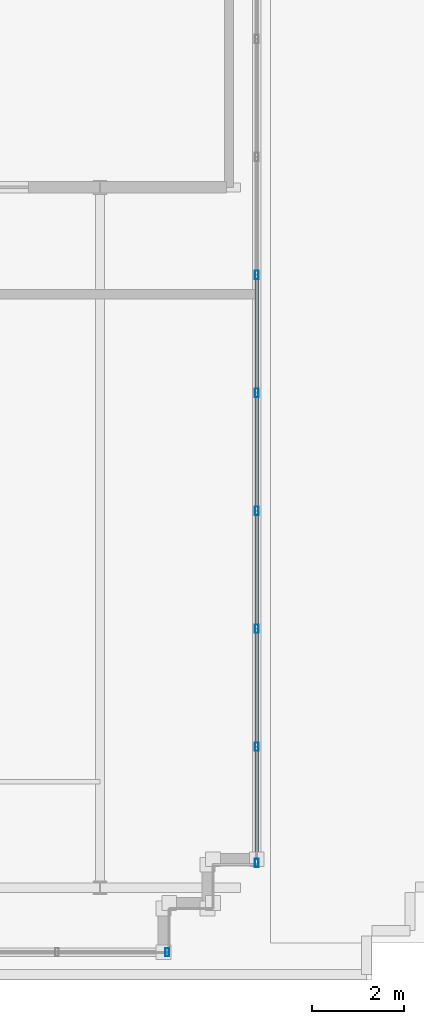
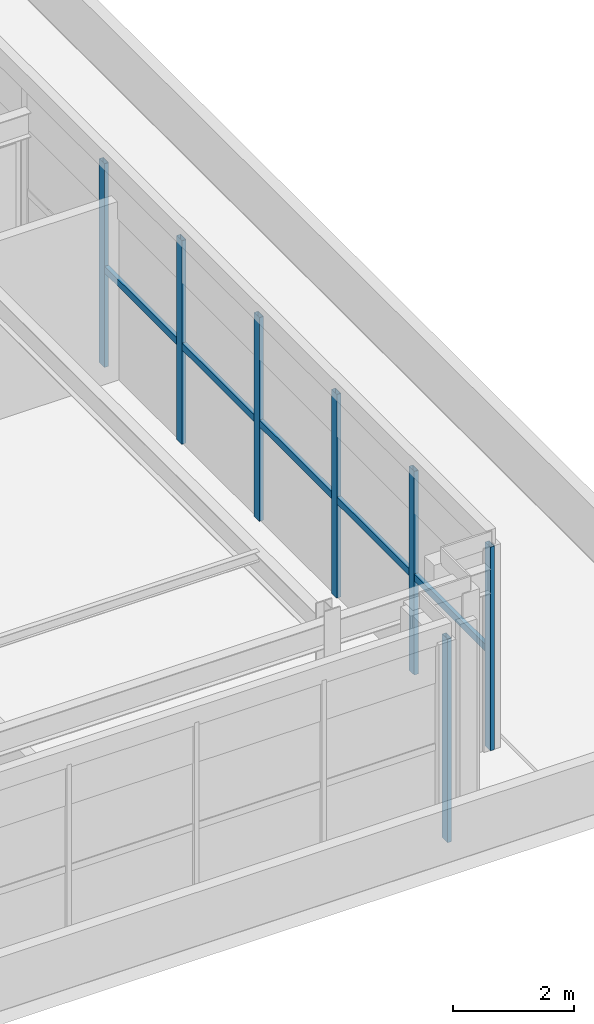
# One storey, part 7 of 28: 12 members, 2 elements without a shape of their own.
"""IFC4 building model written with IfcOpenShell, lengths in metres."""

from ifc_helpers import new_model, si_unit, direction, frame, origin, origin_2d, place, context, subcontext, project, spatial, hollow_rectangle, extrude, source, transform, mapped, material, material_profile, profile_set, type_object, element, aggregate, save


model = new_model("IFC4")

# Units and contexts
model_context = context("Model", 3, precision=1e-05, world=origin(), true_north=direction((0.0, 1.0)))
body_context = subcontext(model_context, "Body", "Model", "MODEL_VIEW")
ifc_project = project(units=[si_unit("LENGTHUNIT", "METRE"), si_unit("AREAUNIT", "SQUARE_METRE"), si_unit("VOLUMEUNIT", "CUBIC_METRE"), si_unit("PLANEANGLEUNIT", "RADIAN"), si_unit("MASSUNIT", "GRAM", prefix="KILO")], contexts=[model_context])

# Site, building, storey
site_placement = place(None, origin())
site = spatial("IfcSite", under=ifc_project, at=site_placement, CompositionType="ELEMENT")
building_placement = place(site_placement, origin())
building = spatial("IfcBuilding", under=site, at=building_placement, Name="Trelvane Seafront Commons", CompositionType="ELEMENT")
storey_placement = place(building_placement, frame((0.0, 0.0, 312.300048828125)))
storey = spatial("IfcBuildingStorey", under=building, at=storey_placement, Name="L81", CompositionType="ELEMENT", Elevation=312.300048828125)

# Curtain wall, members
ifc_material = material(Name="Anodised pale-silver aluminium", Category="aluminium")
curtain_wall_type = type_object("IfcCurtainWallType", Name="ARCH-CW6-CROWN", PredefinedType="NOTDEFINED", material=ifc_material)
curtain_wall_1_placement = place(storey_placement, origin())
curtain_wall_1 = element("IfcCurtainWall", 1, at=curtain_wall_1_placement, inside=storey, type_object=curtain_wall_type, Name="CW-L81-0146", PredefinedType="NOTDEFINED")
ifc_material_profile_1 = material_profile(ifc_material, hollow_rectangle(XDim=0.080078125, YDim=0.179931640625, WallThickness=0.00439453125, at=origin_2d()), Name="MULL-80x180x4.5")
ifc_profile_set_1 = profile_set([ifc_material_profile_1], Name="Anodised pale-silver aluminium")
member_type_1 = type_object("IfcMemberType", Name="ARCH-CW-MULL-180", PredefinedType="MULLION", material=ifc_profile_set_1)
shared_shape_1 = source(origin(), body_context, "Body", "SweptSolid", [
    extrude(hollow_rectangle(XDim=0.080078125, YDim=0.179931640625, WallThickness=0.00439453125, at=origin_2d()), origin(), (0.0, 0.0, 1.0), 4.10986328125),
])
member_1_placement = place(storey_placement, frame((26.800048828125, 31.5, 0.0), z_axis=(0.0, 0.0, 1.0), x_axis=(1.0, 0.0, 0.0)))
member_1 = element("IfcMember", 2, at=member_1_placement, type_object=member_type_1, Name="CW-L81-0146-M05", PredefinedType="MULLION", context=body_context, shape_type="MappedRepresentation", body=[
    mapped(shared_shape_1, transform((0.0, 0.0, 0.0), x_axis=(1.0, 0.0, 0.0), y_axis=(0.0, 1.0, 0.0), z_axis=(0.0, 0.0, 1.0), scale=1.0)),
])
member_2_placement = place(storey_placement, frame((26.800048828125, 28.93994140625, 0.0), z_axis=(0.0, 0.0, 1.0), x_axis=(1.0, 0.0, 0.0)))
member_2 = element("IfcMember", 3, at=member_2_placement, type_object=member_type_1, Name="CW-L81-0146-M06", PredefinedType="MULLION", context=body_context, shape_type="MappedRepresentation", body=[
    mapped(shared_shape_1, transform((0.0, 0.0, 0.0), x_axis=(1.0, 0.0, 0.0), y_axis=(0.0, 1.0, 0.0), z_axis=(0.0, 0.0, 1.0), scale=1.0)),
])
member_3_placement = place(storey_placement, frame((26.800048828125, 26.3798828125, 0.0), z_axis=(0.0, 0.0, 1.0), x_axis=(1.0, 0.0, 0.0)))
member_3 = element("IfcMember", 4, at=member_3_placement, type_object=member_type_1, Name="CW-L81-0146-M07", PredefinedType="MULLION", context=body_context, shape_type="MappedRepresentation", body=[
    mapped(shared_shape_1, transform((0.0, 0.0, 0.0), x_axis=(1.0, 0.0, 0.0), y_axis=(0.0, 1.0, 0.0), z_axis=(0.0, 0.0, 1.0), scale=1.0)),
])
member_4_placement = place(storey_placement, frame((26.800048828125, 23.820068359375, 0.0), z_axis=(0.0, 0.0, 1.0), x_axis=(1.0, 0.0, 0.0)))
member_4 = element("IfcMember", 5, at=member_4_placement, type_object=member_type_1, Name="CW-L81-0146-M08", PredefinedType="MULLION", context=body_context, shape_type="MappedRepresentation", body=[
    mapped(shared_shape_1, transform((0.0, 0.0, 0.0), x_axis=(1.0, 0.0, 0.0), y_axis=(0.0, 1.0, 0.0), z_axis=(0.0, 0.0, 1.0), scale=1.0)),
])
member_5_placement = place(storey_placement, frame((26.800048828125, 21.260009765625, 0.0), z_axis=(0.0, 0.0, 1.0), x_axis=(1.0, 0.0, 0.0)))
member_5 = element("IfcMember", 6, at=member_5_placement, type_object=member_type_1, Name="CW-L81-0146-M09", PredefinedType="MULLION", context=body_context, shape_type="MappedRepresentation", body=[
    mapped(shared_shape_1, transform((0.0, 0.0, 0.0), x_axis=(1.0, 0.0, 0.0), y_axis=(0.0, 1.0, 0.0), z_axis=(0.0, 0.0, 1.0), scale=1.0)),
])
member_6_placement = place(storey_placement, frame((26.800048828125, 18.739990234375, 0.0), z_axis=(0.0, 0.0, 1.0), x_axis=(1.0, 0.0, 0.0)))
member_6 = element("IfcMember", 7, at=member_6_placement, type_object=member_type_1, Name="CW-L81-0146-M10", PredefinedType="MULLION", context=body_context, shape_type="MappedRepresentation", body=[
    mapped(shared_shape_1, transform((0.0, 0.0, 0.0), x_axis=(1.0, 0.0, 0.0), y_axis=(0.0, 1.0, 0.0), z_axis=(0.0, 0.0, 1.0), scale=1.0)),
])

# Curtain wall, member
curtain_wall_2_placement = place(storey_placement, origin())
curtain_wall_2 = element("IfcCurtainWall", 8, at=curtain_wall_2_placement, inside=storey, type_object=curtain_wall_type, Name="CW-L81-0147", PredefinedType="NOTDEFINED")
member_7_placement = place(storey_placement, frame((24.860107421875, 16.800048828125, 0.0), z_axis=(0.0, 0.0, 1.0), x_axis=(1.0, 0.0, 0.0)))
member_7 = element("IfcMember", 9, at=member_7_placement, type_object=member_type_1, Name="CW-L81-0147-M00", PredefinedType="MULLION", context=body_context, shape_type="MappedRepresentation", body=[
    mapped(shared_shape_1, transform((0.0, 0.0, 0.0), x_axis=(1.0, 0.0, 0.0), y_axis=(0.0, 1.0, 0.0), z_axis=(0.0, 0.0, 1.0), scale=1.0)),
])
aggregate(curtain_wall_2, [member_7])

# Member
ifc_material_profile_2 = material_profile(ifc_material, hollow_rectangle(XDim=0.074951171875, YDim=0.139892578125, WallThickness=0.00390625, at=origin_2d()), Name="TRAN-75x140x4")
ifc_profile_set_2 = profile_set([ifc_material_profile_2], Name="Anodised pale-silver aluminium")
member_type_2 = type_object("IfcMemberType", Name="ARCH-CW-TRAN-140", PredefinedType="USERDEFINED", material=ifc_profile_set_2)
shared_shape_2 = source(origin(), body_context, "Body", "SweptSolid", [
    extrude(hollow_rectangle(XDim=0.074951171875, YDim=0.139892578125, WallThickness=0.00390625, at=origin_2d()), origin(), (0.0, 0.0, 1.0), 2.5361328125),
])
member_8_placement = place(storey_placement, frame((26.800048828125, 31.488037109375, 1.972900390625), z_axis=(0.0, -1.0, 0.0), x_axis=(1.0, 0.0, 0.0)))
member_8 = element("IfcMember", 10, at=member_8_placement, type_object=member_type_2, Name="CW-L81-0146-T05", ObjectType="TRANSOM", PredefinedType="USERDEFINED", context=body_context, shape_type="MappedRepresentation", body=[
    mapped(shared_shape_2, transform((0.0, 0.0, 0.0), x_axis=(1.0, 0.0, 0.0), y_axis=(0.0, 1.0, 0.0), z_axis=(0.0, 0.0, 1.0), scale=1.0)),
])

member_9_placement = place(storey_placement, frame((26.800048828125, 23.80810546875, 1.972900390625), z_axis=(0.0, -1.0, 0.0), x_axis=(1.0, 0.0, 0.0)))
member_9 = element("IfcMember", 11, at=member_9_placement, type_object=member_type_2, Name="CW-L81-0146-T08", ObjectType="TRANSOM", PredefinedType="USERDEFINED", context=body_context, shape_type="MappedRepresentation", body=[
    mapped(shared_shape_2, transform((0.0, 0.0, 0.0), x_axis=(1.0, 0.0, 0.0), y_axis=(0.0, 1.0, 0.0), z_axis=(0.0, 0.0, 1.0), scale=1.0)),
])

member_10_placement = place(storey_placement, frame((26.800048828125, 21.248046875, 1.972900390625), z_axis=(0.0, -1.0, 0.0), x_axis=(1.0, 0.0, 0.0)))
member_10 = element("IfcMember", 12, at=member_10_placement, type_object=member_type_2, Name="CW-L81-0146-T09", ObjectType="TRANSOM", PredefinedType="USERDEFINED", context=body_context, shape_type="MappedRepresentation", body=[
    mapped(shared_shape_2, transform((0.0, 0.0, 0.0), x_axis=(1.0, 0.0, 0.0), y_axis=(0.0, 1.0, 0.0), z_axis=(0.0, 0.0, 1.0), scale=1.0)),
])

shared_shape_3 = source(origin(), body_context, "Body", "SweptSolid", [
    extrude(hollow_rectangle(XDim=0.074951171875, YDim=0.139892578125, WallThickness=0.00390625, at=origin_2d()), origin(), (0.0, 0.0, 1.0), 2.535888671875),
])
member_11_placement = place(storey_placement, frame((26.800048828125, 28.927978515625, 1.972900390625), z_axis=(0.0, -1.0, 0.0), x_axis=(1.0, 0.0, 0.0)))
member_11 = element("IfcMember", 13, at=member_11_placement, type_object=member_type_2, Name="CW-L81-0146-T06", ObjectType="TRANSOM", PredefinedType="USERDEFINED", context=body_context, shape_type="MappedRepresentation", body=[
    mapped(shared_shape_3, transform((0.0, 0.0, 0.0), x_axis=(1.0, 0.0, 0.0), y_axis=(0.0, 1.0, 0.0), z_axis=(0.0, 0.0, 1.0), scale=1.0)),
])

member_12_placement = place(storey_placement, frame((26.800048828125, 26.367919921875, 1.972900390625), z_axis=(0.0, -1.0, 0.0), x_axis=(1.0, 0.0, 0.0)))
member_12 = element("IfcMember", 14, at=member_12_placement, type_object=member_type_2, Name="CW-L81-0146-T07", ObjectType="TRANSOM", PredefinedType="USERDEFINED", context=body_context, shape_type="MappedRepresentation", body=[
    mapped(shared_shape_3, transform((0.0, 0.0, 0.0), x_axis=(1.0, 0.0, 0.0), y_axis=(0.0, 1.0, 0.0), z_axis=(0.0, 0.0, 1.0), scale=1.0)),
])

aggregate(curtain_wall_1, [member_1, member_2, member_3, member_4, member_5, member_6, member_8, member_11, member_12, member_9, member_10])

save(model, "model.ifc")
